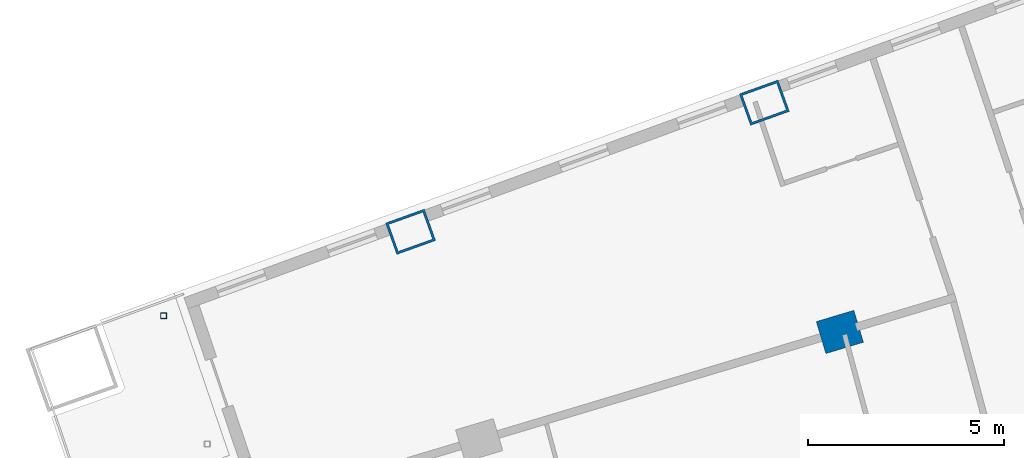
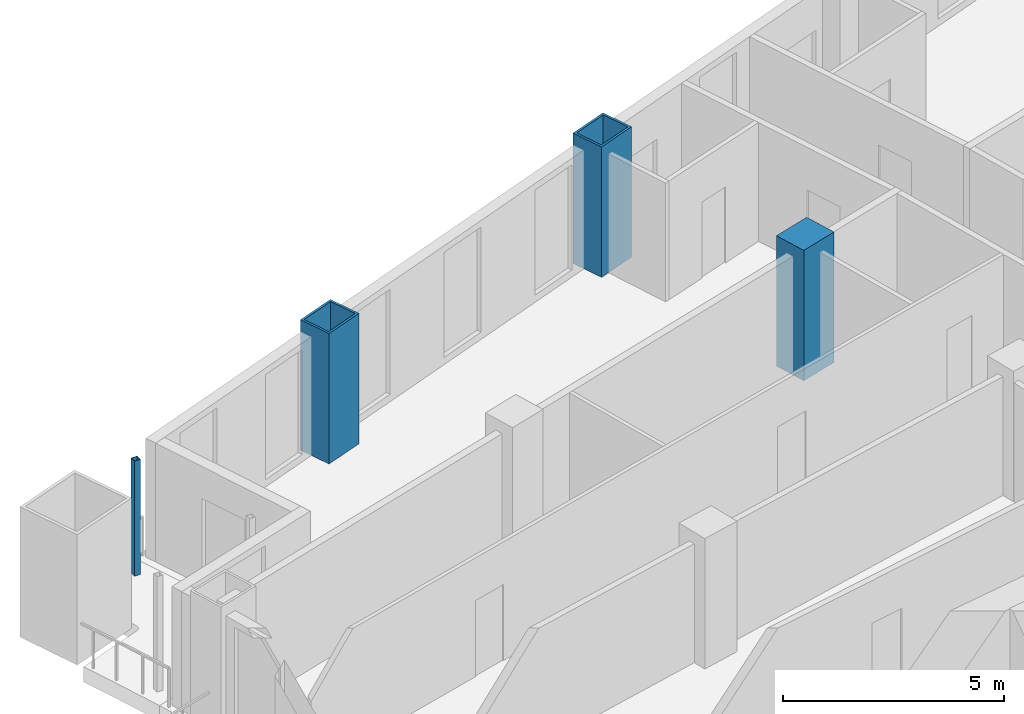
# One storey, part 9 of 25: 4 columns.
"""IFC4 building model written with IfcOpenShell, lengths in metres."""

from ifc_helpers import new_model, si_unit, direction, frame, origin, origin_2d, place, context, subcontext, project, spatial, rectangle, hollow_rectangle, extrude, material, material_profile, profile_set, type_object, element, save


model = new_model("IFC4")

# Units and contexts
model_context = context("Model", 3, precision=1e-05, world=origin(), true_north=direction((0.0, 1.0)))
body_context = subcontext(model_context, "Body", "Model", "MODEL_VIEW")
ifc_project = project(units=[si_unit("LENGTHUNIT", "METRE"), si_unit("AREAUNIT", "SQUARE_METRE"), si_unit("VOLUMEUNIT", "CUBIC_METRE"), si_unit("PLANEANGLEUNIT", "RADIAN"), si_unit("MASSUNIT", "GRAM", prefix="KILO")], contexts=[model_context])

# Site, building, storey
site_placement = place(None, origin())
site = spatial("IfcSite", under=ifc_project, at=site_placement, CompositionType="ELEMENT")
building_placement = place(site_placement, origin())
building = spatial("IfcBuilding", under=site, at=building_placement, Name="Alderwake Tower", CompositionType="ELEMENT")
storey_placement = place(building_placement, frame((0.0, 0.0, 107.60009765625)))
storey = spatial("IfcBuildingStorey", under=building, at=storey_placement, Name="L26", CompositionType="ELEMENT", Elevation=107.60009765625)

# Columns
ifc_material_1 = material(Name="Steel ASTM A572 Grade 50 concrete filled C70/85", Category="concrete")
ifc_material_profile_1 = material_profile(ifc_material_1, hollow_rectangle(XDim=0.85009765625, YDim=1.050048828125, WallThickness=0.06005859375, at=origin_2d()), Name="BOX 1050X850X60")
ifc_profile_set_1 = profile_set([ifc_material_profile_1], Name="Steel ASTM A572 Grade 50 concrete filled C70/85")
column_type_1 = type_object("IfcColumnType", Name="End column Z2", PredefinedType="COLUMN", material=ifc_profile_set_1)
for number, where, z_axis, x_axis, name in (
    (1, (19.965576171875, 96.8515625, 0.0), (0.0, 0.0, 1.0), (-0.337584879279, 0.9412950915, 0.0), "Column R13-C1"),
    (2, (28.983642578125, 100.143310546875, 0.0), (0.0, 0.0, 1.0), (-0.338026774049, 0.941136493834, 0.0), "Column R13-C2"),
):
    element("IfcColumn", number, at=place(storey_placement, frame(where, z_axis=z_axis, x_axis=x_axis)), inside=storey, type_object=column_type_1, Name=name, PredefinedType="COLUMN", context=body_context, shape_type="SweptSolid", body=[
        extrude(hollow_rectangle(XDim=0.85009765625, YDim=1.050048828125, WallThickness=0.06005859375, at=origin_2d()), origin(), (0.0, 0.0, 1.0), 3.599853515625),
    ])
ifc_material_2 = material(Name="Concrete C70/85", Category="concrete")
ifc_material_profile_2 = material_profile(ifc_material_2, rectangle(XDim=0.85009765625, YDim=1.0, at=origin_2d()), Name="RC 1000X850")
ifc_profile_set_2 = profile_set([ifc_material_profile_2], Name="Concrete C70/85")
column_type_2 = type_object("IfcColumnType", Name="Interior column Z2", PredefinedType="COLUMN", material=ifc_profile_set_2)
column_1_placement = place(storey_placement, frame((30.9091796875, 94.298095703125, 0.0), z_axis=(0.0, 0.0, 1.0), x_axis=(-0.287549418125, 0.957765802342, 0.0)))
element("IfcColumn", 3, at=column_1_placement, inside=storey, type_object=column_type_2, Name="Column R12-C2", PredefinedType="COLUMN", context=body_context, shape_type="SweptSolid", body=[
    extrude(rectangle(XDim=0.85009765625, YDim=1.0, at=origin_2d()), origin(), (0.0, 0.0, 1.0), 3.599853515625),
])
ifc_material_3 = material(Name="Steel ASTM A500 Grade C", Category="steel")
ifc_material_profile_3 = material_profile(ifc_material_3, hollow_rectangle(XDim=0.15234375, YDim=0.15234375, WallThickness=0.0087890625, at=origin_2d()), Name="HSS6X6X3/8")
ifc_profile_set_3 = profile_set([ifc_material_profile_3], Name="Steel ASTM A500 Grade C")
column_type_3 = type_object("IfcColumnType", Name="Light post HSS6X6X3/8", PredefinedType="COLUMN", material=ifc_profile_set_3)
column_2_placement = place(storey_placement, frame((13.66796875, 94.71240234375, 0.0), z_axis=(0.0, 0.0, 1.0), x_axis=(1.0, 0.0, 0.0)))
element("IfcColumn", 4, at=column_2_placement, inside=storey, type_object=column_type_3, Name="Terrace post RN2", PredefinedType="COLUMN", context=body_context, shape_type="SweptSolid", body=[
    extrude(hollow_rectangle(XDim=0.15234375, YDim=0.15234375, WallThickness=0.0087890625, at=origin_2d()), origin(), (0.0, 0.0, 1.0), 3.179931640625),
])

save(model, "model.ifc")
